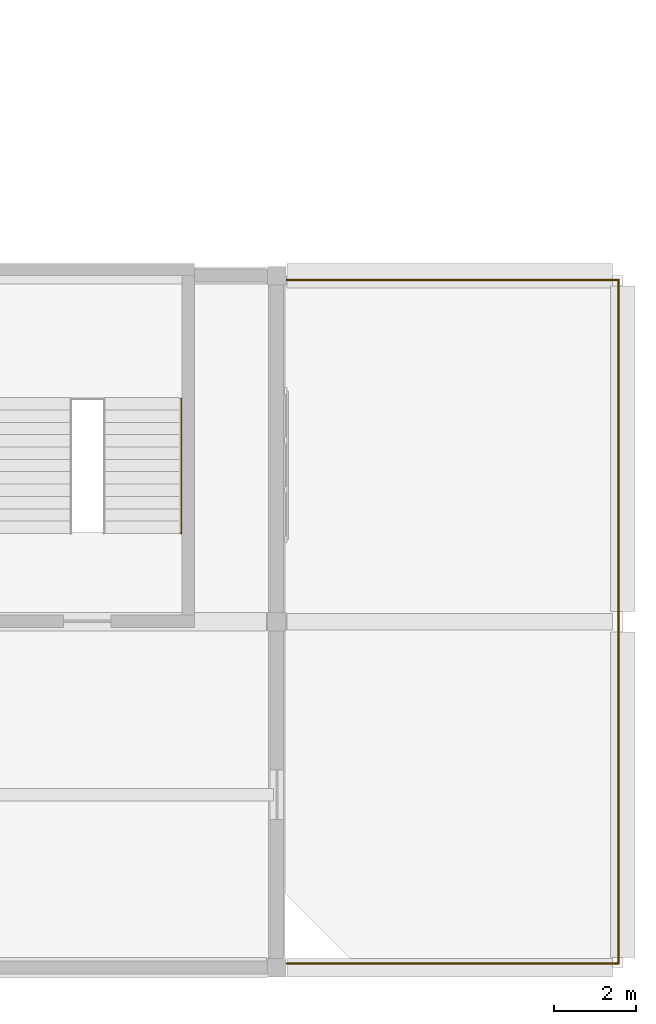
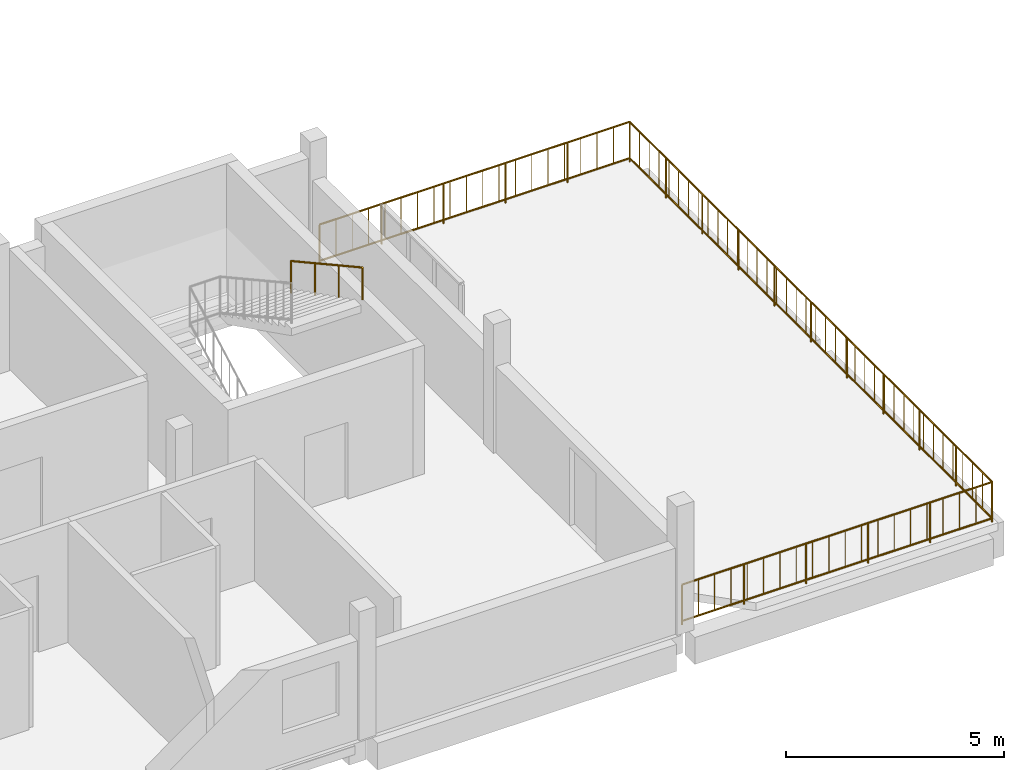
# One storey, part 19 of 19: 4 railings.
"""IFC4 building model written with IfcOpenShell, lengths in metres."""

from ifc_helpers import new_model, si_unit, derived_unit, direction, frame, origin, origin_2d, place, context, subcontext, project, spatial, circle, extrude, material, layer, layer_set, type_object, element, save


model = new_model("IFC4")

# Units and contexts
model_context = context("Model", 3, precision=1e-05, world=origin(), true_north=direction((0.0, 1.0)))
body_context = subcontext(model_context, "Body", "Model", "MODEL_VIEW")
ifc_project = project(units=[si_unit("LENGTHUNIT", "METRE"), si_unit("AREAUNIT", "SQUARE_METRE"), si_unit("VOLUMEUNIT", "CUBIC_METRE"), si_unit("PLANEANGLEUNIT", "RADIAN"), si_unit("MASSUNIT", "GRAM", prefix="KILO"), derived_unit("THERMALTRANSMITTANCEUNIT", [(si_unit("POWERUNIT", "WATT"), 1), (si_unit("LENGTHUNIT", "METRE"), -2), (si_unit("THERMODYNAMICTEMPERATUREUNIT", "KELVIN"), -1)])], contexts=[model_context])

# Site, building, storey
site_placement = place(None, origin())
site = spatial("IfcSite", under=ifc_project, at=site_placement, CompositionType="ELEMENT")
building_placement = place(site_placement, origin())
building = spatial("IfcBuilding", under=site, at=building_placement, Name="Barrovel Congress Hotel", CompositionType="ELEMENT")
storey_placement = place(building_placement, frame((0.0, 0.0, 43.5)))
storey = spatial("IfcBuildingStorey", under=building, at=storey_placement, Name="L11", CompositionType="ELEMENT", Elevation=43.5)

# Railings
ifc_material_1 = material(Name="Painted Architectural Steel", Category="steel")
ifc_layer_1 = layer(ifc_material_1, 0.080078125)
ifc_layer_set_1 = layer_set([ifc_layer_1], Name="Painted Architectural Steel")
railing_type_1 = type_object("IfcRailingType", Name="RAIL-GUARD-EXT", PredefinedType="BALUSTRADE", material=ifc_layer_set_1)
railing_1_placement = place(storey_placement, frame((109.300048828125, 4.300048828125, 0.0)))
element("IfcRailing", 1, at=railing_1_placement, inside=storey, type_object=railing_type_1, Name="L11 East Terrace Guardrail 1", PredefinedType="BALUSTRADE", context=body_context, shape_type="SweptSolid", body=[
    extrude(circle(Radius=0.02392578125, at=origin_2d()), frame((0.0, 0.0, 1.11572265625), z_axis=(1.0, 0.0, 0.0), x_axis=(0.0, 1.0, 0.0)), (0.0, 0.0, 1.0), 8.199951171875),
    extrude(circle(Radius=0.02392578125, at=origin_2d()), frame((0.0, 0.0, 0.10009765625), z_axis=(1.0, 0.0, 0.0), x_axis=(0.0, 1.0, 0.0)), (0.0, 0.0, 1.0), 8.199951171875),
    extrude(circle(Radius=0.010009765625, at=origin_2d()), frame((0.431640625, 0.0, 0.10009765625)), (0.0, 0.0, 1.0), 0.99169921875),
    extrude(circle(Radius=0.010009765625, at=origin_2d()), frame((0.863037109375, 0.0, 0.10009765625)), (0.0, 0.0, 1.0), 0.99169921875),
    extrude(circle(Radius=0.010009765625, at=origin_2d()), frame((1.294677734375, 0.0, 0.10009765625)), (0.0, 0.0, 1.0), 0.99169921875),
    extrude(circle(Radius=0.010009765625, at=origin_2d()), frame((1.726318359375, 0.0, 0.10009765625)), (0.0, 0.0, 1.0), 0.99169921875),
    extrude(circle(Radius=0.010009765625, at=origin_2d()), frame((2.157958984375, 0.0, 0.10009765625)), (0.0, 0.0, 1.0), 0.99169921875),
    extrude(circle(Radius=0.010009765625, at=origin_2d()), frame((2.58935546875, 0.0, 0.10009765625)), (0.0, 0.0, 1.0), 0.99169921875),
    extrude(circle(Radius=0.010009765625, at=origin_2d()), frame((3.02099609375, 0.0, 0.10009765625)), (0.0, 0.0, 1.0), 0.99169921875),
    extrude(circle(Radius=0.010009765625, at=origin_2d()), frame((3.45263671875, 0.0, 0.10009765625)), (0.0, 0.0, 1.0), 0.99169921875),
    extrude(circle(Radius=0.010009765625, at=origin_2d()), frame((3.88427734375, 0.0, 0.10009765625)), (0.0, 0.0, 1.0), 0.99169921875),
    extrude(circle(Radius=0.010009765625, at=origin_2d()), frame((4.315673828125, 0.0, 0.10009765625)), (0.0, 0.0, 1.0), 0.99169921875),
    extrude(circle(Radius=0.010009765625, at=origin_2d()), frame((4.747314453125, 0.0, 0.10009765625)), (0.0, 0.0, 1.0), 0.99169921875),
    extrude(circle(Radius=0.010009765625, at=origin_2d()), frame((5.178955078125, 0.0, 0.10009765625)), (0.0, 0.0, 1.0), 0.99169921875),
    extrude(circle(Radius=0.010009765625, at=origin_2d()), frame((5.610595703125, 0.0, 0.10009765625)), (0.0, 0.0, 1.0), 0.99169921875),
    extrude(circle(Radius=0.010009765625, at=origin_2d()), frame((6.0419921875, 0.0, 0.10009765625)), (0.0, 0.0, 1.0), 0.99169921875),
    extrude(circle(Radius=0.010009765625, at=origin_2d()), frame((6.4736328125, 0.0, 0.10009765625)), (0.0, 0.0, 1.0), 0.99169921875),
    extrude(circle(Radius=0.010009765625, at=origin_2d()), frame((6.9052734375, 0.0, 0.10009765625)), (0.0, 0.0, 1.0), 0.99169921875),
    extrude(circle(Radius=0.010009765625, at=origin_2d()), frame((7.3369140625, 0.0, 0.10009765625)), (0.0, 0.0, 1.0), 0.99169921875),
    extrude(circle(Radius=0.010009765625, at=origin_2d()), frame((7.768310546875, 0.0, 0.10009765625)), (0.0, 0.0, 1.0), 0.99169921875),
    extrude(circle(Radius=0.02099609375, at=origin_2d()), origin(), (0.0, 0.0, 1.0), 1.091796875),
    extrude(circle(Radius=0.02099609375, at=origin_2d()), frame((1.639892578125, 0.0, 0.0)), (0.0, 0.0, 1.0), 1.091796875),
    extrude(circle(Radius=0.02099609375, at=origin_2d()), frame((3.280029296875, 0.0, 0.0)), (0.0, 0.0, 1.0), 1.091796875),
    extrude(circle(Radius=0.02099609375, at=origin_2d()), frame((4.919921875, 0.0, 0.0)), (0.0, 0.0, 1.0), 1.091796875),
    extrude(circle(Radius=0.02099609375, at=origin_2d()), frame((6.56005859375, 0.0, 0.0)), (0.0, 0.0, 1.0), 1.091796875),
    extrude(circle(Radius=0.02099609375, at=origin_2d()), frame((8.199951171875, 0.0, 0.0)), (0.0, 0.0, 1.0), 1.091796875),
])
railing_2_placement = place(storey_placement, frame((117.5, 4.300048828125, 0.0)))
element("IfcRailing", 2, at=railing_2_placement, inside=storey, type_object=railing_type_1, Name="L11 East Terrace Guardrail 2", PredefinedType="BALUSTRADE", context=body_context, shape_type="SweptSolid", body=[
    extrude(circle(Radius=0.02392578125, at=origin_2d()), frame((0.0, 0.0, 1.11572265625), z_axis=(0.0, 1.0, 0.0), x_axis=(-1.0, 0.0, 0.0)), (0.0, 0.0, 1.0), 16.599853515625),
    extrude(circle(Radius=0.02392578125, at=origin_2d()), frame((0.0, 0.0, 0.10009765625), z_axis=(0.0, 1.0, 0.0), x_axis=(-1.0, 0.0, 0.0)), (0.0, 0.0, 1.0), 16.599853515625),
    extrude(circle(Radius=0.010009765625, at=origin_2d()), frame((0.0, 0.44873046875, 0.10009765625)), (0.0, 0.0, 1.0), 0.99169921875),
    extrude(circle(Radius=0.010009765625, at=origin_2d()), frame((0.0, 0.897216796875, 0.10009765625)), (0.0, 0.0, 1.0), 0.99169921875),
    extrude(circle(Radius=0.010009765625, at=origin_2d()), frame((0.0, 1.345947265625, 0.10009765625)), (0.0, 0.0, 1.0), 0.99169921875),
    extrude(circle(Radius=0.010009765625, at=origin_2d()), frame((0.0, 1.794677734375, 0.10009765625)), (0.0, 0.0, 1.0), 0.99169921875),
    extrude(circle(Radius=0.010009765625, at=origin_2d()), frame((0.0, 2.2431640625, 0.10009765625)), (0.0, 0.0, 1.0), 0.99169921875),
    extrude(circle(Radius=0.010009765625, at=origin_2d()), frame((0.0, 2.69189453125, 0.10009765625)), (0.0, 0.0, 1.0), 0.99169921875),
    extrude(circle(Radius=0.010009765625, at=origin_2d()), frame((0.0, 3.140625, 0.10009765625)), (0.0, 0.0, 1.0), 0.99169921875),
    extrude(circle(Radius=0.010009765625, at=origin_2d()), frame((0.0, 3.589111328125, 0.10009765625)), (0.0, 0.0, 1.0), 0.99169921875),
    extrude(circle(Radius=0.010009765625, at=origin_2d()), frame((0.0, 4.037841796875, 0.10009765625)), (0.0, 0.0, 1.0), 0.99169921875),
    extrude(circle(Radius=0.010009765625, at=origin_2d()), frame((0.0, 4.486328125, 0.10009765625)), (0.0, 0.0, 1.0), 0.99169921875),
    extrude(circle(Radius=0.010009765625, at=origin_2d()), frame((0.0, 4.93505859375, 0.10009765625)), (0.0, 0.0, 1.0), 0.99169921875),
    extrude(circle(Radius=0.010009765625, at=origin_2d()), frame((0.0, 5.3837890625, 0.10009765625)), (0.0, 0.0, 1.0), 0.99169921875),
    extrude(circle(Radius=0.010009765625, at=origin_2d()), frame((0.0, 5.832275390625, 0.10009765625)), (0.0, 0.0, 1.0), 0.99169921875),
    extrude(circle(Radius=0.010009765625, at=origin_2d()), frame((0.0, 6.281005859375, 0.10009765625)), (0.0, 0.0, 1.0), 0.99169921875),
    extrude(circle(Radius=0.010009765625, at=origin_2d()), frame((0.0, 6.729736328125, 0.10009765625)), (0.0, 0.0, 1.0), 0.99169921875),
    extrude(circle(Radius=0.010009765625, at=origin_2d()), frame((0.0, 7.17822265625, 0.10009765625)), (0.0, 0.0, 1.0), 0.99169921875),
    extrude(circle(Radius=0.010009765625, at=origin_2d()), frame((0.0, 7.626953125, 0.10009765625)), (0.0, 0.0, 1.0), 0.99169921875),
    extrude(circle(Radius=0.010009765625, at=origin_2d()), frame((0.0, 8.07568359375, 0.10009765625)), (0.0, 0.0, 1.0), 0.99169921875),
    extrude(circle(Radius=0.010009765625, at=origin_2d()), frame((0.0, 8.524169921875, 0.10009765625)), (0.0, 0.0, 1.0), 0.99169921875),
    extrude(circle(Radius=0.010009765625, at=origin_2d()), frame((0.0, 8.972900390625, 0.10009765625)), (0.0, 0.0, 1.0), 0.99169921875),
    extrude(circle(Radius=0.010009765625, at=origin_2d()), frame((0.0, 9.421630859375, 0.10009765625)), (0.0, 0.0, 1.0), 0.99169921875),
    extrude(circle(Radius=0.010009765625, at=origin_2d()), frame((0.0, 9.8701171875, 0.10009765625)), (0.0, 0.0, 1.0), 0.99169921875),
    extrude(circle(Radius=0.010009765625, at=origin_2d()), frame((0.0, 10.31884765625, 0.10009765625)), (0.0, 0.0, 1.0), 0.99169921875),
    extrude(circle(Radius=0.010009765625, at=origin_2d()), frame((0.0, 10.767578125, 0.10009765625)), (0.0, 0.0, 1.0), 0.99169921875),
    extrude(circle(Radius=0.010009765625, at=origin_2d()), frame((0.0, 11.216064453125, 0.10009765625)), (0.0, 0.0, 1.0), 0.99169921875),
    extrude(circle(Radius=0.010009765625, at=origin_2d()), frame((0.0, 11.664794921875, 0.10009765625)), (0.0, 0.0, 1.0), 0.99169921875),
    extrude(circle(Radius=0.010009765625, at=origin_2d()), frame((0.0, 12.113525390625, 0.10009765625)), (0.0, 0.0, 1.0), 0.99169921875),
    extrude(circle(Radius=0.010009765625, at=origin_2d()), frame((0.0, 12.56201171875, 0.10009765625)), (0.0, 0.0, 1.0), 0.99169921875),
    extrude(circle(Radius=0.010009765625, at=origin_2d()), frame((0.0, 13.0107421875, 0.10009765625)), (0.0, 0.0, 1.0), 0.99169921875),
    extrude(circle(Radius=0.010009765625, at=origin_2d()), frame((0.0, 13.459228515625, 0.10009765625)), (0.0, 0.0, 1.0), 0.99169921875),
    extrude(circle(Radius=0.010009765625, at=origin_2d()), frame((0.0, 13.907958984375, 0.10009765625)), (0.0, 0.0, 1.0), 0.99169921875),
    extrude(circle(Radius=0.010009765625, at=origin_2d()), frame((0.0, 14.356689453125, 0.10009765625)), (0.0, 0.0, 1.0), 0.99169921875),
    extrude(circle(Radius=0.010009765625, at=origin_2d()), frame((0.0, 14.80517578125, 0.10009765625)), (0.0, 0.0, 1.0), 0.99169921875),
    extrude(circle(Radius=0.010009765625, at=origin_2d()), frame((0.0, 15.25390625, 0.10009765625)), (0.0, 0.0, 1.0), 0.99169921875),
    extrude(circle(Radius=0.010009765625, at=origin_2d()), frame((0.0, 15.70263671875, 0.10009765625)), (0.0, 0.0, 1.0), 0.99169921875),
    extrude(circle(Radius=0.010009765625, at=origin_2d()), frame((0.0, 16.151123046875, 0.10009765625)), (0.0, 0.0, 1.0), 0.99169921875),
    extrude(circle(Radius=0.02099609375, at=origin_2d()), origin(), (0.0, 0.0, 1.0), 1.091796875),
    extrude(circle(Radius=0.02099609375, at=origin_2d()), frame((0.0, 1.659912109375, 0.0)), (0.0, 0.0, 1.0), 1.091796875),
    extrude(circle(Radius=0.02099609375, at=origin_2d()), frame((0.0, 3.320068359375, 0.0)), (0.0, 0.0, 1.0), 1.091796875),
    extrude(circle(Radius=0.02099609375, at=origin_2d()), frame((0.0, 4.97998046875, 0.0)), (0.0, 0.0, 1.0), 1.091796875),
    extrude(circle(Radius=0.02099609375, at=origin_2d()), frame((0.0, 6.639892578125, 0.0)), (0.0, 0.0, 1.0), 1.091796875),
    extrude(circle(Radius=0.02099609375, at=origin_2d()), frame((0.0, 8.2998046875, 0.0)), (0.0, 0.0, 1.0), 1.091796875),
    extrude(circle(Radius=0.02099609375, at=origin_2d()), frame((0.0, 9.9599609375, 0.0)), (0.0, 0.0, 1.0), 1.091796875),
    extrude(circle(Radius=0.02099609375, at=origin_2d()), frame((0.0, 11.619873046875, 0.0)), (0.0, 0.0, 1.0), 1.091796875),
    extrude(circle(Radius=0.02099609375, at=origin_2d()), frame((0.0, 13.27978515625, 0.0)), (0.0, 0.0, 1.0), 1.091796875),
    extrude(circle(Radius=0.02099609375, at=origin_2d()), frame((0.0, 14.93994140625, 0.0)), (0.0, 0.0, 1.0), 1.091796875),
    extrude(circle(Radius=0.02099609375, at=origin_2d()), frame((0.0, 16.599853515625, 0.0)), (0.0, 0.0, 1.0), 1.091796875),
])
railing_3_placement = place(storey_placement, frame((117.5, 20.89990234375, 0.0)))
element("IfcRailing", 3, at=railing_3_placement, inside=storey, type_object=railing_type_1, Name="L11 East Terrace Guardrail 3", PredefinedType="BALUSTRADE", context=body_context, shape_type="SweptSolid", body=[
    extrude(circle(Radius=0.02392578125, at=origin_2d()), frame((0.0, 0.0, 1.11572265625), z_axis=(-1.0, 0.0, 0.0), x_axis=(0.0, -1.0, 0.0)), (0.0, 0.0, 1.0), 8.199951171875),
    extrude(circle(Radius=0.02392578125, at=origin_2d()), frame((0.0, 0.0, 0.10009765625), z_axis=(-1.0, 0.0, 0.0), x_axis=(0.0, -1.0, 0.0)), (0.0, 0.0, 1.0), 8.199951171875),
    extrude(circle(Radius=0.010009765625, at=origin_2d()), frame((-0.431640625, 0.0, 0.10009765625)), (0.0, 0.0, 1.0), 0.99169921875),
    extrude(circle(Radius=0.010009765625, at=origin_2d()), frame((-0.863037109375, 0.0, 0.10009765625)), (0.0, 0.0, 1.0), 0.99169921875),
    extrude(circle(Radius=0.010009765625, at=origin_2d()), frame((-1.294677734375, 0.0, 0.10009765625)), (0.0, 0.0, 1.0), 0.99169921875),
    extrude(circle(Radius=0.010009765625, at=origin_2d()), frame((-1.726318359375, 0.0, 0.10009765625)), (0.0, 0.0, 1.0), 0.99169921875),
    extrude(circle(Radius=0.010009765625, at=origin_2d()), frame((-2.157958984375, 0.0, 0.10009765625)), (0.0, 0.0, 1.0), 0.99169921875),
    extrude(circle(Radius=0.010009765625, at=origin_2d()), frame((-2.58935546875, 0.0, 0.10009765625)), (0.0, 0.0, 1.0), 0.99169921875),
    extrude(circle(Radius=0.010009765625, at=origin_2d()), frame((-3.02099609375, 0.0, 0.10009765625)), (0.0, 0.0, 1.0), 0.99169921875),
    extrude(circle(Radius=0.010009765625, at=origin_2d()), frame((-3.45263671875, 0.0, 0.10009765625)), (0.0, 0.0, 1.0), 0.99169921875),
    extrude(circle(Radius=0.010009765625, at=origin_2d()), frame((-3.88427734375, 0.0, 0.10009765625)), (0.0, 0.0, 1.0), 0.99169921875),
    extrude(circle(Radius=0.010009765625, at=origin_2d()), frame((-4.315673828125, 0.0, 0.10009765625)), (0.0, 0.0, 1.0), 0.99169921875),
    extrude(circle(Radius=0.010009765625, at=origin_2d()), frame((-4.747314453125, 0.0, 0.10009765625)), (0.0, 0.0, 1.0), 0.99169921875),
    extrude(circle(Radius=0.010009765625, at=origin_2d()), frame((-5.178955078125, 0.0, 0.10009765625)), (0.0, 0.0, 1.0), 0.99169921875),
    extrude(circle(Radius=0.010009765625, at=origin_2d()), frame((-5.610595703125, 0.0, 0.10009765625)), (0.0, 0.0, 1.0), 0.99169921875),
    extrude(circle(Radius=0.010009765625, at=origin_2d()), frame((-6.0419921875, 0.0, 0.10009765625)), (0.0, 0.0, 1.0), 0.99169921875),
    extrude(circle(Radius=0.010009765625, at=origin_2d()), frame((-6.4736328125, 0.0, 0.10009765625)), (0.0, 0.0, 1.0), 0.99169921875),
    extrude(circle(Radius=0.010009765625, at=origin_2d()), frame((-6.9052734375, 0.0, 0.10009765625)), (0.0, 0.0, 1.0), 0.99169921875),
    extrude(circle(Radius=0.010009765625, at=origin_2d()), frame((-7.3369140625, 0.0, 0.10009765625)), (0.0, 0.0, 1.0), 0.99169921875),
    extrude(circle(Radius=0.010009765625, at=origin_2d()), frame((-7.768310546875, 0.0, 0.10009765625)), (0.0, 0.0, 1.0), 0.99169921875),
    extrude(circle(Radius=0.02099609375, at=origin_2d()), origin(), (0.0, 0.0, 1.0), 1.091796875),
    extrude(circle(Radius=0.02099609375, at=origin_2d()), frame((-1.639892578125, 0.0, 0.0)), (0.0, 0.0, 1.0), 1.091796875),
    extrude(circle(Radius=0.02099609375, at=origin_2d()), frame((-3.280029296875, 0.0, 0.0)), (0.0, 0.0, 1.0), 1.091796875),
    extrude(circle(Radius=0.02099609375, at=origin_2d()), frame((-4.919921875, 0.0, 0.0)), (0.0, 0.0, 1.0), 1.091796875),
    extrude(circle(Radius=0.02099609375, at=origin_2d()), frame((-6.56005859375, 0.0, 0.0)), (0.0, 0.0, 1.0), 1.091796875),
    extrude(circle(Radius=0.02099609375, at=origin_2d()), frame((-8.199951171875, 0.0, 0.0)), (0.0, 0.0, 1.0), 1.091796875),
])
ifc_material_2 = material(Name="Brushed Stainless Steel", Category="steel")
ifc_layer_2 = layer(ifc_material_2, 0.050048828125)
ifc_layer_set_2 = layer_set([ifc_layer_2], Name="Brushed Stainless Steel")
railing_type_2 = type_object("IfcRailingType", Name="RAIL-HAND", PredefinedType="HANDRAIL", material=ifc_layer_set_2)
railing_4_placement = place(storey_placement, frame((106.8798828125, 18.010009765625, 1.800048828125)))
element("IfcRailing", 4, at=railing_4_placement, inside=storey, type_object=railing_type_2, Name="STAIR:XS-03:L11:HR-2", PredefinedType="HANDRAIL", context=body_context, shape_type="SweptSolid", body=[
    extrude(circle(Radius=0.02392578125, at=origin_2d()), frame((0.0, 0.0, 0.89599609375), z_axis=(0.0, -0.876041855244, 0.482235075311), x_axis=(1.0, 0.0, 0.0)), (0.0, 0.0, 1.0), 3.732666015625),
    extrude(circle(Radius=0.02099609375, at=origin_2d()), origin(), (0.0, 0.0, 1.0), 0.871826171875),
    extrude(circle(Radius=0.02099609375, at=origin_2d()), frame((0.0, -1.090087890625, 0.60009765625)), (0.0, 0.0, 1.0), 0.871826171875),
    extrude(circle(Radius=0.02099609375, at=origin_2d()), frame((0.0, -2.179931640625, 1.199951171875)), (0.0, 0.0, 1.0), 0.871826171875),
    extrude(circle(Radius=0.02099609375, at=origin_2d()), frame((0.0, -3.27001953125, 1.800048828125)), (0.0, 0.0, 1.0), 0.871826171875),
])

save(model, "model.ifc")
